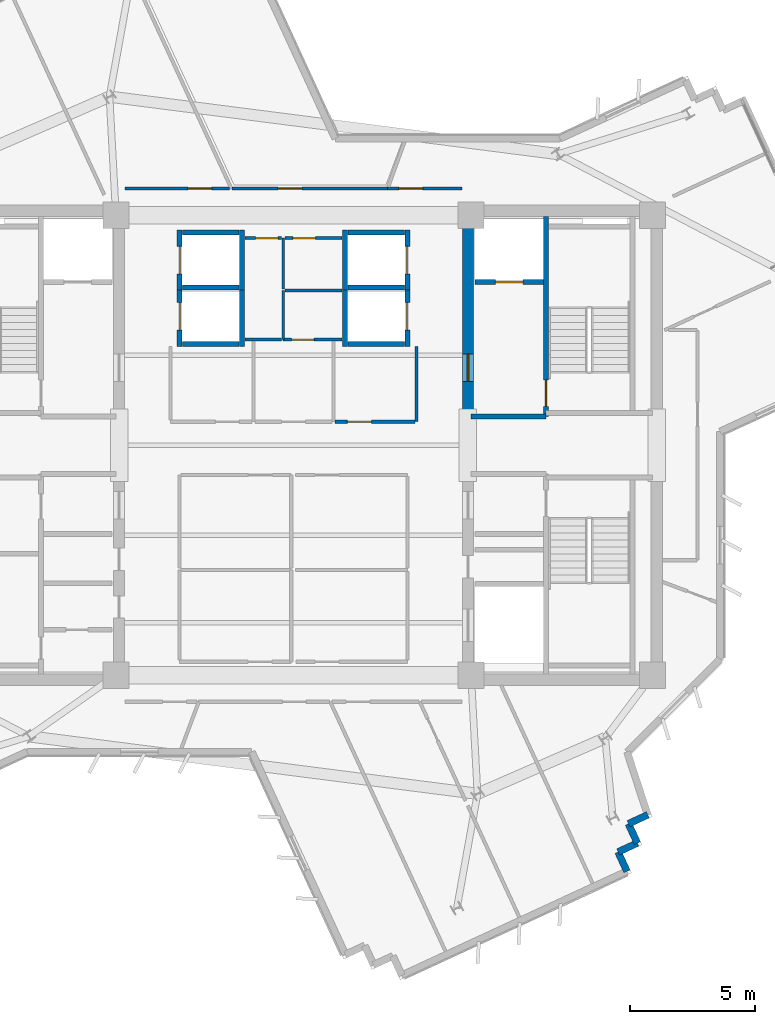
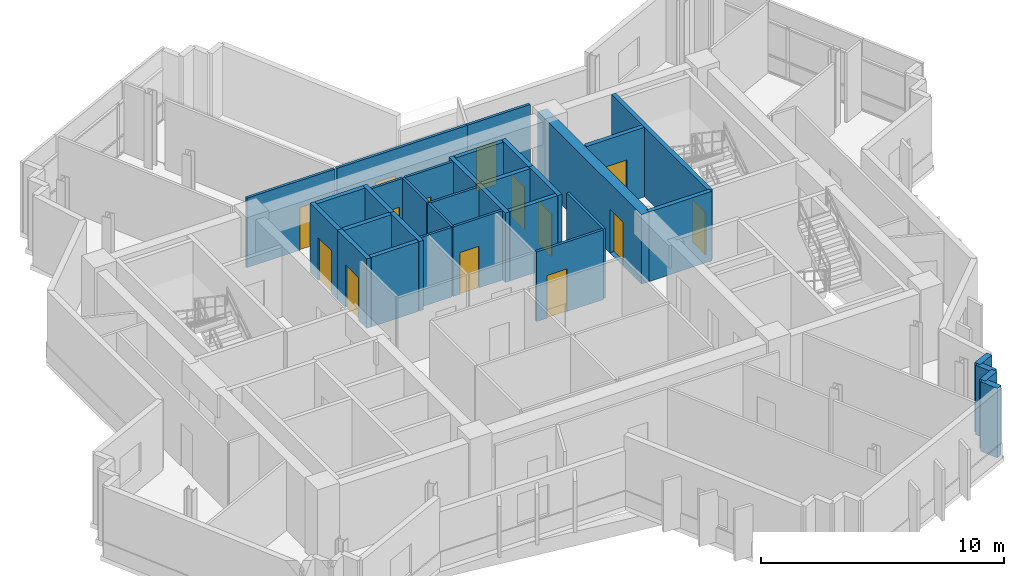
# One storey, part 7 of 12: 34 walls, 14 doors, 14 openings.
"""IFC4 building model written with IfcOpenShell, lengths in metres."""

from ifc_helpers import new_model, si_unit, direction, frame, frame_2d, origin, place, context, subcontext, project, spatial, rectangle, extrude, source, transform, mapped, material, layer, layer_set, type_object, element, fill, save


model = new_model("IFC4")

# Units and contexts
model_context = context("Model", 3, precision=1e-05, world=origin(), true_north=direction((0.0, 1.0)))
body_context = subcontext(model_context, "Body", "Model", "MODEL_VIEW")
ifc_project = project(units=[si_unit("LENGTHUNIT", "METRE"), si_unit("AREAUNIT", "SQUARE_METRE"), si_unit("VOLUMEUNIT", "CUBIC_METRE"), si_unit("PLANEANGLEUNIT", "RADIAN"), si_unit("MASSUNIT", "GRAM", prefix="KILO")], contexts=[model_context])

# Site, building, storey
site_placement = place(None, origin())
site = spatial("IfcSite", under=ifc_project, at=site_placement, CompositionType="ELEMENT")
building_placement = place(site_placement, origin())
building = spatial("IfcBuilding", under=site, at=building_placement, Name="Zahravan Cultural Tower", CompositionType="ELEMENT")
storey_placement = place(building_placement, frame((0.0, 0.0, 246.60009765625)))
storey = spatial("IfcBuildingStorey", under=building, at=storey_placement, Name="L58", CompositionType="ELEMENT", Elevation=246.60009765625)

# Wall, opening, door
ifc_material_1 = material(Name="Concrete C50/60", Category="concrete")
ifc_layer_1 = layer(ifc_material_1, 0.449951171875)
ifc_layer_set_1 = layer_set([ifc_layer_1], Name="Concrete C50/60")
wall_type_1 = type_object("IfcWallType", Name="CW-SHEAR-450-C50", PredefinedType="SHEAR", material=ifc_layer_set_1)
wall_1_placement = place(storey_placement, frame((42.97509765625, 28.050048828125, 0.0), z_axis=(0.0, 0.0, 1.0), x_axis=(0.0, 1.0, 0.0)))
wall_1 = element("IfcWall", 1, at=wall_1_placement, inside=storey, type_object=wall_type_1, Name="L58 Core Shear Wall CW-E-WN-L58", PredefinedType="SHEAR", context=body_context, shape_type="SweptSolid", body=[
    extrude(rectangle(XDim=8.550048828125, YDim=0.449951171875, at=frame_2d((4.27490234375, 0.0))), origin(), (0.0, 0.0, 1.0), 3.5),
])
opening_1_placement = place(wall_1_placement, frame((1.5, 0.0, 0.0)))
opening_1 = element("IfcOpeningElement", 2, at=opening_1_placement, cuts=wall_1, Name="Opening D-L58-07", PredefinedType="OPENING", context=body_context, shape_type="SweptSolid", body=[
    extrude(rectangle(XDim=1.10009765625, YDim=2.199951171875, at=frame_2d((0.550048828125, 1.10009765625))), frame((0.0, 0.23486328125, 0.0), z_axis=(0.0, -1.0, 0.0), x_axis=(1.0, 0.0, 0.0)), (0.0, 0.0, 1.0), 0.469970703125),
])
ifc_material_2 = material(Name="Steel ASTM A572 Grade 50", Category="steel")
door_type_1 = type_object("IfcDoorType", Name="DR-LOBBY-1100", OperationType="NOTDEFINED", PredefinedType="DOOR", material=ifc_material_2)
shared_shape_1 = source(origin(), body_context, "Body", "SweptSolid", [
    extrude(rectangle(XDim=1.10009765625, YDim=2.199951171875, at=frame_2d((0.550048828125, 1.10009765625))), frame((0.0, 0.02490234375, 0.0), z_axis=(0.0, -1.0, 0.0), x_axis=(1.0, 0.0, 0.0)), (0.0, 0.0, 1.0), 0.050048828125),
])
door_1_placement = place(opening_1_placement, origin())
door_1 = element("IfcDoor", 3, at=door_1_placement, inside=storey, type_object=door_type_1, Name="L58 Door D-L58-07", OperationType="SINGLE_SWING_RIGHT", OverallHeight=2.199951171875, OverallWidth=1.10009765625, PredefinedType="DOOR", context=body_context, shape_type="MappedRepresentation", body=[
    mapped(shared_shape_1, transform((0.0, 0.0, 0.0), x_axis=(1.0, 0.0, 0.0), y_axis=(0.0, 1.0, 0.0), z_axis=(0.0, 0.0, 1.0), scale=1.0)),
])
fill(opening_1, door_1)

ifc_material_3 = material(Name="Gypsum plasterboard partition")
ifc_layer_2 = layer(ifc_material_3, 0.125)
ifc_layer_set_2 = layer_set([ifc_layer_2], Name="Gypsum plasterboard partition")
wall_type_2 = type_object("IfcWallType", Name="W-PART-125", PredefinedType="PARTITIONING", material=ifc_layer_set_2)
wall_2_placement = place(storey_placement, frame((40.8525390625, 27.93994140625, 0.0), z_axis=(0.0, 0.0, 1.0), x_axis=(-1.0, 0.0, 0.0)))
wall_2 = element("IfcWall", 4, at=wall_2_placement, inside=storey, type_object=wall_type_2, Name="L58 Interior Wall 057", PredefinedType="PARTITIONING", context=body_context, shape_type="SweptSolid", body=[
    extrude(rectangle(XDim=3.18505859375, YDim=0.125, at=frame_2d((1.592529296875, 0.0))), origin(), (0.0, 0.0, 1.0), 3.5),
])
opening_2_placement = place(wall_2_placement, frame((1.743408203125, 0.0, 0.0)))
opening_2 = element("IfcOpeningElement", 5, at=opening_2_placement, cuts=wall_2, Name="Opening D-L58-22", PredefinedType="OPENING", context=body_context, shape_type="SweptSolid", body=[
    extrude(rectangle(XDim=0.949951171875, YDim=2.14990234375, at=frame_2d((0.47509765625, 1.074951171875))), frame((0.0, 0.072509765625, 0.0), z_axis=(0.0, -1.0, 0.0), x_axis=(1.0, 0.0, 0.0)), (0.0, 0.0, 1.0), 0.14501953125),
])
ifc_material_4 = material(Name="Anodised bronze-aluminium mullion", Category="aluminium")
door_type_2 = type_object("IfcDoorType", Name="DR-ROOM-950", OperationType="NOTDEFINED", PredefinedType="DOOR", material=ifc_material_4)
shared_shape_2 = source(origin(), body_context, "Body", "SweptSolid", [
    extrude(rectangle(XDim=0.949951171875, YDim=2.14990234375, at=frame_2d((0.47509765625, 1.074951171875))), frame((0.0, 0.02490234375, 0.0), z_axis=(0.0, -1.0, 0.0), x_axis=(1.0, 0.0, 0.0)), (0.0, 0.0, 1.0), 0.050048828125),
])
door_2_placement = place(opening_2_placement, origin())
door_2 = element("IfcDoor", 6, at=door_2_placement, inside=storey, type_object=door_type_2, Name="L58 Door D-L58-22", OperationType="SINGLE_SWING_LEFT", OverallHeight=2.14990234375, OverallWidth=0.949951171875, PredefinedType="DOOR", context=body_context, shape_type="MappedRepresentation", body=[
    mapped(shared_shape_2, transform((0.0, 0.0, 0.0), x_axis=(1.0, 0.0, 0.0), y_axis=(0.0, 1.0, 0.0), z_axis=(0.0, 0.0, 1.0), scale=1.0)),
])
fill(opening_2, door_2)

wall_3_placement = place(storey_placement, frame((42.74658203125, 37.2587890625, 0.0), z_axis=(0.0, 0.0, 1.0), x_axis=(-0.999999916415, 0.000408864141, 0.0)))
wall_3 = element("IfcWall", 7, at=wall_3_placement, inside=storey, type_object=wall_type_2, Name="L58 Interior Wall 085", PredefinedType="PARTITIONING", context=body_context, shape_type="SweptSolid", body=[
    extrude(rectangle(XDim=2.985595703125, YDim=0.125, at=frame_2d((1.49267578125, 0.0))), origin(), (0.0, 0.0, 1.0), 3.5),
])
opening_3_placement = place(wall_3_placement, frame((1.587890625, 0.0, 0.0)))
opening_3 = element("IfcOpeningElement", 8, at=opening_3_placement, cuts=wall_3, Name="Opening D-L58-24", PredefinedType="OPENING", context=body_context, shape_type="SweptSolid", body=[
    extrude(rectangle(XDim=0.949951171875, YDim=2.14990234375, at=frame_2d((0.47509765625, 1.074951171875))), frame((0.0, 0.072509765625, 0.0), z_axis=(0.0, -1.0, 0.0), x_axis=(1.0, 0.0, 0.0)), (0.0, 0.0, 1.0), 0.14501953125),
])
door_3_placement = place(opening_3_placement, origin())
door_3 = element("IfcDoor", 9, at=door_3_placement, inside=storey, type_object=door_type_2, Name="L58 Door D-L58-24", OperationType="SINGLE_SWING_LEFT", OverallHeight=2.14990234375, OverallWidth=0.949951171875, PredefinedType="DOOR", context=body_context, shape_type="MappedRepresentation", body=[
    mapped(shared_shape_2, transform((0.0, 0.0, 0.0), x_axis=(1.0, 0.0, 0.0), y_axis=(0.0, 1.0, 0.0), z_axis=(0.0, 0.0, 1.0), scale=1.0)),
])
fill(opening_3, door_3)

wall_4_placement = place(storey_placement, frame((33.443115234375, 37.260009765625, 0.0), z_axis=(0.0, 0.0, 1.0), x_axis=(-0.999999998299, -5.8329445e-05, 0.0)))
wall_4 = element("IfcWall", 10, at=wall_4_placement, inside=storey, type_object=wall_type_2, Name="L58 Interior Wall 089", PredefinedType="PARTITIONING", context=body_context, shape_type="SweptSolid", body=[
    extrude(rectangle(XDim=4.185546875, YDim=0.125, at=frame_2d((2.0927734375, 0.0))), origin(), (0.0, 0.0, 1.0), 3.5),
])
opening_4_placement = place(wall_4_placement, frame((0.7119140625, 0.0, 0.0)))
opening_4 = element("IfcOpeningElement", 11, at=opening_4_placement, cuts=wall_4, Name="Opening D-L58-26", PredefinedType="OPENING", context=body_context, shape_type="SweptSolid", body=[
    extrude(rectangle(XDim=0.949951171875, YDim=2.14990234375, at=frame_2d((0.47509765625, 1.074951171875))), frame((0.0, 0.072509765625, 0.0), z_axis=(0.0, -1.0, 0.0), x_axis=(1.0, 0.0, 0.0)), (0.0, 0.0, 1.0), 0.14501953125),
])
door_4_placement = place(opening_4_placement, origin())
door_4 = element("IfcDoor", 12, at=door_4_placement, inside=storey, type_object=door_type_2, Name="L58 Door D-L58-26", OperationType="SINGLE_SWING_LEFT", OverallHeight=2.14990234375, OverallWidth=0.949951171875, PredefinedType="DOOR", context=body_context, shape_type="MappedRepresentation", body=[
    mapped(shared_shape_2, transform((0.0, 0.0, 0.0), x_axis=(1.0, 0.0, 0.0), y_axis=(0.0, 1.0, 0.0), z_axis=(0.0, 0.0, 1.0), scale=1.0)),
])
fill(opening_4, door_4)

wall_5_placement = place(storey_placement, frame((39.760986328125, 37.260009765625, 0.0), z_axis=(0.0, 0.0, 1.0), x_axis=(-1.0, 0.0, 0.0)))
wall_5 = element("IfcWall", 13, at=wall_5_placement, inside=storey, type_object=wall_type_2, Name="L58 Interior Wall 103", PredefinedType="PARTITIONING", context=body_context, shape_type="SweptSolid", body=[
    extrude(rectangle(XDim=6.221435546875, YDim=0.125, at=frame_2d((3.11083984375, 0.0))), origin(), (0.0, 0.0, 1.0), 3.5),
])
opening_5_placement = place(wall_5_placement, frame((3.426513671875, 0.0, 0.0)))
opening_5 = element("IfcOpeningElement", 14, at=opening_5_placement, cuts=wall_5, Name="Opening D-L58-25", PredefinedType="OPENING", context=body_context, shape_type="SweptSolid", body=[
    extrude(rectangle(XDim=0.949951171875, YDim=2.14990234375, at=frame_2d((0.47509765625, 1.074951171875))), frame((0.0, 0.072509765625, 0.0), z_axis=(0.0, -1.0, 0.0), x_axis=(1.0, 0.0, 0.0)), (0.0, 0.0, 1.0), 0.14501953125),
])
door_5_placement = place(opening_5_placement, origin())
door_5 = element("IfcDoor", 15, at=door_5_placement, inside=storey, type_object=door_type_2, Name="L58 Door D-L58-25", OperationType="SINGLE_SWING_RIGHT", OverallHeight=2.14990234375, OverallWidth=0.949951171875, PredefinedType="DOOR", context=body_context, shape_type="MappedRepresentation", body=[
    mapped(shared_shape_2, transform((0.0, 0.0, 0.0), x_axis=(1.0, 0.0, 0.0), y_axis=(0.0, 1.0, 0.0), z_axis=(0.0, 0.0, 1.0), scale=1.0)),
])
fill(opening_5, door_5)

ifc_material_5 = material(Name="Concrete C45/55", Category="concrete")
ifc_layer_3 = layer(ifc_material_5, 0.199951171875)
ifc_layer_set_3 = layer_set([ifc_layer_3], Name="Concrete C45/55")
wall_type_3 = type_object("IfcWallType", Name="W-SHAFT-200", PredefinedType="SOLIDWALL", material=ifc_layer_set_3)
wall_6_placement = place(storey_placement, frame((46.10009765625, 28.14990234375, 0.0), z_axis=(0.0, 0.0, 1.0), x_axis=(0.0, 1.0, 0.0)))
wall_6 = element("IfcWall", 16, at=wall_6_placement, inside=storey, type_object=wall_type_3, Name="L58 Interior Wall 008", PredefinedType="SOLIDWALL", context=body_context, shape_type="SweptSolid", body=[
    extrude(rectangle(XDim=8.0, YDim=0.199951171875, at=frame_2d((4.0, 0.0))), origin(), (0.0, 0.0, 1.0), 3.5),
])
opening_6_placement = place(wall_6_placement, frame((0.39990234375, 0.0, 0.0)))
opening_6 = element("IfcOpeningElement", 17, at=opening_6_placement, cuts=wall_6, Name="Opening D-L58-02", PredefinedType="OPENING", context=body_context, shape_type="SweptSolid", body=[
    extrude(rectangle(XDim=1.050048828125, YDim=2.14990234375, at=frame_2d((0.52490234375, 1.074951171875))), frame((0.0, 0.10986328125, 0.0), z_axis=(0.0, -1.0, 0.0), x_axis=(1.0, 0.0, 0.0)), (0.0, 0.0, 1.0), 0.219970703125),
])
door_type_3 = type_object("IfcDoorType", Name="DR-STAIR-1050", OperationType="NOTDEFINED", PredefinedType="DOOR", material=ifc_material_2)
shared_shape_3 = source(origin(), body_context, "Body", "SweptSolid", [
    extrude(rectangle(XDim=1.050048828125, YDim=2.14990234375, at=frame_2d((0.52490234375, 1.074951171875))), frame((0.0, 0.02490234375, 0.0), z_axis=(0.0, -1.0, 0.0), x_axis=(1.0, 0.0, 0.0)), (0.0, 0.0, 1.0), 0.050048828125),
])
door_6_placement = place(opening_6_placement, origin())
door_6 = element("IfcDoor", 18, at=door_6_placement, inside=storey, type_object=door_type_3, Name="L58 Door D-L58-02", OperationType="SINGLE_SWING_LEFT", OverallHeight=2.14990234375, OverallWidth=1.050048828125, PredefinedType="DOOR", context=body_context, shape_type="MappedRepresentation", body=[
    mapped(shared_shape_3, transform((0.0, 0.0, 0.0), x_axis=(1.0, 0.0, 0.0), y_axis=(0.0, 1.0, 0.0), z_axis=(0.0, 0.0, 1.0), scale=1.0)),
])
fill(opening_6, door_6)

wall_7_placement = place(storey_placement, frame((43.25, 33.52001953125, 0.0), z_axis=(0.0, 0.0, 1.0), x_axis=(1.0, 0.0, 0.0)))
wall_7 = element("IfcWall", 19, at=wall_7_placement, inside=storey, type_object=wall_type_3, Name="L58 Interior Wall 023", PredefinedType="SOLIDWALL", context=body_context, shape_type="SweptSolid", body=[
    extrude(rectangle(XDim=2.75, YDim=0.199951171875, at=frame_2d((1.375, 0.0))), origin(), (0.0, 0.0, 1.0), 3.5),
])
opening_7_placement = place(wall_7_placement, frame((0.820068359375, 0.0, 0.0)))
opening_7 = element("IfcOpeningElement", 20, at=opening_7_placement, cuts=wall_7, Name="Opening LD-L58-02", PredefinedType="OPENING", context=body_context, shape_type="SweptSolid", body=[
    extrude(rectangle(XDim=1.10009765625, YDim=2.14990234375, at=frame_2d((0.550048828125, 1.074951171875))), frame((0.0, 0.10986328125, 0.0), z_axis=(0.0, -1.0, 0.0), x_axis=(1.0, 0.0, 0.0)), (0.0, 0.0, 1.0), 0.219970703125),
])
door_type_4 = type_object("IfcDoorType", Name="DR-LIFT-1100", OperationType="DOUBLE_DOOR_SLIDING", PredefinedType="DOOR", material=ifc_material_2)
shared_shape_4 = source(origin(), body_context, "Body", "SweptSolid", [
    extrude(rectangle(XDim=1.10009765625, YDim=2.14990234375, at=frame_2d((0.550048828125, 1.074951171875))), frame((0.0, 0.02490234375, 0.0), z_axis=(0.0, -1.0, 0.0), x_axis=(1.0, 0.0, 0.0)), (0.0, 0.0, 1.0), 0.050048828125),
])
door_7_placement = place(opening_7_placement, origin())
door_7 = element("IfcDoor", 21, at=door_7_placement, inside=storey, type_object=door_type_4, Name="L58 Door LD-L58-02", OperationType="DOUBLE_DOOR_SLIDING", OverallHeight=2.14990234375, OverallWidth=1.10009765625, PredefinedType="DOOR", context=body_context, shape_type="MappedRepresentation", body=[
    mapped(shared_shape_4, transform((0.0, 0.0, 0.0), x_axis=(1.0, 0.0, 0.0), y_axis=(0.0, 1.0, 0.0), z_axis=(0.0, 0.0, 1.0), scale=1.0)),
])
fill(opening_7, door_7)

wall_8_placement = place(storey_placement, frame((31.449951171875, 33.199951171875, 0.0), z_axis=(0.0, 0.0, 1.0), x_axis=(0.0, 1.0, 0.0)))
wall_8 = element("IfcWall", 22, at=wall_8_placement, inside=storey, type_object=wall_type_3, Name="L58 Interior Wall 030", PredefinedType="SOLIDWALL", context=body_context, shape_type="SweptSolid", body=[
    extrude(rectangle(XDim=2.400146484375, YDim=0.199951171875, at=frame_2d((1.2001953125, 0.0))), origin(), (0.0, 0.0, 1.0), 3.5),
])
opening_8_placement = place(wall_8_placement, frame((0.64990234375, 0.0, 0.0)))
opening_8 = element("IfcOpeningElement", 23, at=opening_8_placement, cuts=wall_8, Name="Opening LD-L58-04", PredefinedType="OPENING", context=body_context, shape_type="SweptSolid", body=[
    extrude(rectangle(XDim=1.10009765625, YDim=2.14990234375, at=frame_2d((0.550048828125, 1.074951171875))), frame((0.0, 0.10986328125, 0.0), z_axis=(0.0, -1.0, 0.0), x_axis=(1.0, 0.0, 0.0)), (0.0, 0.0, 1.0), 0.219970703125),
])
door_8_placement = place(opening_8_placement, origin())
door_8 = element("IfcDoor", 24, at=door_8_placement, inside=storey, type_object=door_type_4, Name="L58 Door LD-L58-04", OperationType="DOUBLE_DOOR_SLIDING", OverallHeight=2.14990234375, OverallWidth=1.10009765625, PredefinedType="DOOR", context=body_context, shape_type="MappedRepresentation", body=[
    mapped(shared_shape_4, transform((0.0, 0.0, 0.0), x_axis=(1.0, 0.0, 0.0), y_axis=(0.0, 1.0, 0.0), z_axis=(0.0, 0.0, 1.0), scale=1.0)),
])
fill(opening_8, door_8)

wall_9_placement = place(storey_placement, frame((31.449951171875, 30.949951171875, 0.0), z_axis=(0.0, 0.0, 1.0), x_axis=(0.0, 1.0, 0.0)))
wall_9 = element("IfcWall", 25, at=wall_9_placement, inside=storey, type_object=wall_type_3, Name="L58 Interior Wall 034", PredefinedType="SOLIDWALL", context=body_context, shape_type="SweptSolid", body=[
    extrude(rectangle(XDim=2.400146484375, YDim=0.199951171875, at=frame_2d((1.2001953125, 0.0))), origin(), (0.0, 0.0, 1.0), 3.5),
])
opening_9_placement = place(wall_9_placement, frame((0.64990234375, 0.0, 0.0)))
opening_9 = element("IfcOpeningElement", 26, at=opening_9_placement, cuts=wall_9, Name="Opening LD-L58-05", PredefinedType="OPENING", context=body_context, shape_type="SweptSolid", body=[
    extrude(rectangle(XDim=1.10009765625, YDim=2.14990234375, at=frame_2d((0.550048828125, 1.074951171875))), frame((0.0, 0.10986328125, 0.0), z_axis=(0.0, -1.0, 0.0), x_axis=(1.0, 0.0, 0.0)), (0.0, 0.0, 1.0), 0.219970703125),
])
door_9_placement = place(opening_9_placement, origin())
door_9 = element("IfcDoor", 27, at=door_9_placement, inside=storey, type_object=door_type_4, Name="L58 Door LD-L58-05", OperationType="DOUBLE_DOOR_SLIDING", OverallHeight=2.14990234375, OverallWidth=1.10009765625, PredefinedType="DOOR", context=body_context, shape_type="MappedRepresentation", body=[
    mapped(shared_shape_4, transform((0.0, 0.0, 0.0), x_axis=(1.0, 0.0, 0.0), y_axis=(0.0, 1.0, 0.0), z_axis=(0.0, 0.0, 1.0), scale=1.0)),
])
fill(opening_9, door_9)

wall_10_placement = place(storey_placement, frame((40.550048828125, 33.199951171875, 0.0), z_axis=(0.0, 0.0, 1.0), x_axis=(0.0, 1.0, 0.0)))
wall_10 = element("IfcWall", 28, at=wall_10_placement, inside=storey, type_object=wall_type_3, Name="L58 Interior Wall 038", PredefinedType="SOLIDWALL", context=body_context, shape_type="SweptSolid", body=[
    extrude(rectangle(XDim=2.400146484375, YDim=0.199951171875, at=frame_2d((1.2001953125, 0.0))), origin(), (0.0, 0.0, 1.0), 3.5),
])
opening_10_placement = place(wall_10_placement, frame((0.64990234375, 0.0, 0.0)))
opening_10 = element("IfcOpeningElement", 29, at=opening_10_placement, cuts=wall_10, Name="Opening LD-L58-06", PredefinedType="OPENING", context=body_context, shape_type="SweptSolid", body=[
    extrude(rectangle(XDim=1.10009765625, YDim=2.14990234375, at=frame_2d((0.550048828125, 1.074951171875))), frame((0.0, 0.10986328125, 0.0), z_axis=(0.0, -1.0, 0.0), x_axis=(1.0, 0.0, 0.0)), (0.0, 0.0, 1.0), 0.219970703125),
])
door_10_placement = place(opening_10_placement, origin())
door_10 = element("IfcDoor", 30, at=door_10_placement, inside=storey, type_object=door_type_4, Name="L58 Door LD-L58-06", OperationType="DOUBLE_DOOR_SLIDING", OverallHeight=2.14990234375, OverallWidth=1.10009765625, PredefinedType="DOOR", context=body_context, shape_type="MappedRepresentation", body=[
    mapped(shared_shape_4, transform((0.0, 0.0, 0.0), x_axis=(1.0, 0.0, 0.0), y_axis=(0.0, 1.0, 0.0), z_axis=(0.0, 0.0, 1.0), scale=1.0)),
])
fill(opening_10, door_10)

wall_11_placement = place(storey_placement, frame((40.550048828125, 30.949951171875, 0.0), z_axis=(0.0, 0.0, 1.0), x_axis=(0.0, 1.0, 0.0)))
wall_11 = element("IfcWall", 31, at=wall_11_placement, inside=storey, type_object=wall_type_3, Name="L58 Interior Wall 042", PredefinedType="SOLIDWALL", context=body_context, shape_type="SweptSolid", body=[
    extrude(rectangle(XDim=2.400146484375, YDim=0.199951171875, at=frame_2d((1.2001953125, 0.0))), origin(), (0.0, 0.0, 1.0), 3.5),
])
opening_11_placement = place(wall_11_placement, frame((0.64990234375, 0.0, 0.0)))
opening_11 = element("IfcOpeningElement", 32, at=opening_11_placement, cuts=wall_11, Name="Opening LD-L58-07", PredefinedType="OPENING", context=body_context, shape_type="SweptSolid", body=[
    extrude(rectangle(XDim=1.10009765625, YDim=2.14990234375, at=frame_2d((0.550048828125, 1.074951171875))), frame((0.0, 0.10986328125, 0.0), z_axis=(0.0, -1.0, 0.0), x_axis=(1.0, 0.0, 0.0)), (0.0, 0.0, 1.0), 0.219970703125),
])
door_11_placement = place(opening_11_placement, origin())
door_11 = element("IfcDoor", 33, at=door_11_placement, inside=storey, type_object=door_type_4, Name="L58 Door LD-L58-07", OperationType="DOUBLE_DOOR_SLIDING", OverallHeight=2.14990234375, OverallWidth=1.10009765625, PredefinedType="DOOR", context=body_context, shape_type="MappedRepresentation", body=[
    mapped(shared_shape_4, transform((0.0, 0.0, 0.0), x_axis=(1.0, 0.0, 0.0), y_axis=(0.0, 1.0, 0.0), z_axis=(0.0, 0.0, 1.0), scale=1.0)),
])
fill(opening_11, door_11)

ifc_layer_4 = layer(ifc_material_3, 0.114990234375)
ifc_layer_set_4 = layer_set([ifc_layer_4], Name="Gypsum plasterboard partition")
wall_type_4 = type_object("IfcWallType", Name="W-WC-115", PredefinedType="PARTITIONING", material=ifc_layer_set_4)
wall_12_placement = place(storey_placement, frame((37.945068359375, 31.219970703125, 0.0), z_axis=(0.0, 0.0, 1.0), x_axis=(-1.0, 0.0, 0.0)))
wall_12 = element("IfcWall", 34, at=wall_12_placement, inside=storey, type_object=wall_type_4, Name="L58 Interior Wall 044", PredefinedType="PARTITIONING", context=body_context, shape_type="SweptSolid", body=[
    extrude(rectangle(XDim=2.35498046875, YDim=0.114990234375, at=frame_2d((1.177490234375, 0.0))), origin(), (0.0, 0.0, 1.0), 3.5),
])
opening_12_placement = place(wall_12_placement, frame((1.120849609375, 0.0, 0.0)))
opening_12 = element("IfcOpeningElement", 35, at=opening_12_placement, cuts=wall_12, Name="Opening D-L58-31", PredefinedType="OPENING", context=body_context, shape_type="SweptSolid", body=[
    extrude(rectangle(XDim=0.89990234375, YDim=2.10009765625, at=frame_2d((0.449951171875, 1.050048828125))), frame((0.0, 0.0673828125, 0.0), z_axis=(0.0, -1.0, 0.0), x_axis=(1.0, 0.0, 0.0)), (0.0, 0.0, 1.0), 0.135009765625),
])
door_type_5 = type_object("IfcDoorType", Name="DR-WC-900", OperationType="NOTDEFINED", PredefinedType="DOOR", material=ifc_material_4)
shared_shape_5 = source(origin(), body_context, "Body", "SweptSolid", [
    extrude(rectangle(XDim=0.89990234375, YDim=2.10009765625, at=frame_2d((0.449951171875, 1.050048828125))), frame((0.0, 0.02490234375, 0.0), z_axis=(0.0, -1.0, 0.0), x_axis=(1.0, 0.0, 0.0)), (0.0, 0.0, 1.0), 0.050048828125),
])
door_12_placement = place(opening_12_placement, origin())
door_12 = element("IfcDoor", 36, at=door_12_placement, inside=storey, type_object=door_type_5, Name="L58 Door D-L58-31", OperationType="SINGLE_SWING_RIGHT", OverallHeight=2.10009765625, OverallWidth=0.89990234375, PredefinedType="DOOR", context=body_context, shape_type="MappedRepresentation", body=[
    mapped(shared_shape_5, transform((0.0, 0.0, 0.0), x_axis=(1.0, 0.0, 0.0), y_axis=(0.0, 1.0, 0.0), z_axis=(0.0, 0.0, 1.0), scale=1.0)),
])
fill(opening_12, door_12)

wall_13_placement = place(storey_placement, frame((35.652587890625, 35.280029296875, 0.0), z_axis=(0.0, 0.0, 1.0), x_axis=(1.0, 0.0, 0.0)))
wall_13 = element("IfcWall", 37, at=wall_13_placement, inside=storey, type_object=wall_type_4, Name="L58 Interior Wall 048", PredefinedType="PARTITIONING", context=body_context, shape_type="SweptSolid", body=[
    extrude(rectangle(XDim=2.29248046875, YDim=0.114990234375, at=frame_2d((1.146240234375, 0.0))), origin(), (0.0, 0.0, 1.0), 3.5),
])
opening_13_placement = place(wall_13_placement, frame((0.3203125, 0.0, 0.0)))
opening_13 = element("IfcOpeningElement", 38, at=opening_13_placement, cuts=wall_13, Name="Opening D-L58-19", PredefinedType="OPENING", context=body_context, shape_type="SweptSolid", body=[
    extrude(rectangle(XDim=0.89990234375, YDim=2.10009765625, at=frame_2d((0.449951171875, 1.050048828125))), frame((0.0, 0.0673828125, 0.0), z_axis=(0.0, -1.0, 0.0), x_axis=(1.0, 0.0, 0.0)), (0.0, 0.0, 1.0), 0.135009765625),
])
door_13_placement = place(opening_13_placement, origin())
door_13 = element("IfcDoor", 39, at=door_13_placement, inside=storey, type_object=door_type_5, Name="L58 Door D-L58-19", OperationType="SINGLE_SWING_RIGHT", OverallHeight=2.10009765625, OverallWidth=0.89990234375, PredefinedType="DOOR", context=body_context, shape_type="MappedRepresentation", body=[
    mapped(shared_shape_5, transform((0.0, 0.0, 0.0), x_axis=(1.0, 0.0, 0.0), y_axis=(0.0, 1.0, 0.0), z_axis=(0.0, 0.0, 1.0), scale=1.0)),
])
fill(opening_13, door_13)

wall_14_placement = place(storey_placement, frame((34.054931640625, 35.280029296875, 0.0), z_axis=(0.0, 0.0, 1.0), x_axis=(1.0, 0.0, 0.0)))
wall_14 = element("IfcWall", 40, at=wall_14_placement, inside=storey, type_object=wall_type_4, Name="L58 Interior Wall 050", PredefinedType="PARTITIONING", context=body_context, shape_type="SweptSolid", body=[
    extrude(rectangle(XDim=1.47265625, YDim=0.114990234375, at=frame_2d((0.736328125, 0.0))), origin(), (0.0, 0.0, 1.0), 3.5),
])
opening_14_placement = place(wall_14_placement, frame((0.4326171875, 0.0, 0.0)))
opening_14 = element("IfcOpeningElement", 41, at=opening_14_placement, cuts=wall_14, Name="Opening D-L58-18", PredefinedType="OPENING", context=body_context, shape_type="SweptSolid", body=[
    extrude(rectangle(XDim=0.89990234375, YDim=2.10009765625, at=frame_2d((0.449951171875, 1.050048828125))), frame((0.0, 0.0673828125, 0.0), z_axis=(0.0, -1.0, 0.0), x_axis=(1.0, 0.0, 0.0)), (0.0, 0.0, 1.0), 0.135009765625),
])
door_14_placement = place(opening_14_placement, origin())
door_14 = element("IfcDoor", 42, at=door_14_placement, inside=storey, type_object=door_type_5, Name="L58 Door D-L58-18", OperationType="SINGLE_SWING_LEFT", OverallHeight=2.10009765625, OverallWidth=0.89990234375, PredefinedType="DOOR", context=body_context, shape_type="MappedRepresentation", body=[
    mapped(shared_shape_5, transform((0.0, 0.0, 0.0), x_axis=(1.0, 0.0, 0.0), y_axis=(0.0, 1.0, 0.0), z_axis=(0.0, 0.0, 1.0), scale=1.0)),
])
fill(opening_14, door_14)

# Walls
ifc_material_6 = material(Name="Precast concrete C40/50", Category="concrete")
ifc_layer_5 = layer(ifc_material_6, 0.280029296875)
ifc_layer_set_5 = layer_set([ifc_layer_5], Name="Precast concrete C40/50")
wall_type_5 = type_object("IfcWallType", Name="EW-TC-280", PredefinedType="SOLIDWALL", material=ifc_layer_set_5)
shared_shape_6 = source(origin(), body_context, "Body", "SweptSolid", [
    extrude(rectangle(XDim=0.85009765625, YDim=0.280029296875, at=frame_2d((0.425048828125, 0.0))), origin(), (0.0, 0.0, 1.0), 3.5),
])
for number, where, z_axis, x_axis, name in (
    (43, (50.16650390625, 12.218994140625, 0.0), (0.0, 0.0, 1.0), (-0.907841666427, -0.419313139191, 0.0), "L58 Exterior Masonry Frame Wall 14"),
    (44, (49.394775390625, 11.862548828125, 0.0), (0.0, 0.0, 1.0), (0.419313139191, -0.907841666427, 0.0), "L58 Exterior Masonry Frame Wall 15"),
    (45, (48.979736328125, 10.734375, 0.0), (0.0, 0.0, 1.0), (0.419313139191, -0.907841666427, 0.0), "L58 Exterior Masonry Frame Wall 17"),
):
    element("IfcWall", number, at=place(storey_placement, frame(where, z_axis=z_axis, x_axis=x_axis)), inside=storey, type_object=wall_type_5, Name=name, PredefinedType="SOLIDWALL", context=body_context, shape_type="MappedRepresentation", body=[
        mapped(shared_shape_6, transform((0.0, 0.0, 0.0), x_axis=(1.0, 0.0, 0.0), y_axis=(0.0, 1.0, 0.0), z_axis=(0.0, 0.0, 1.0), scale=1.0)),
    ])
shared_shape_7 = source(origin(), body_context, "Body", "SweptSolid", [
    extrude(rectangle(XDim=0.849853515625, YDim=0.280029296875, at=frame_2d((0.4248046875, 0.0))), origin(), (0.0, 0.0, 1.0), 3.5),
])
wall_15_placement = place(storey_placement, frame((49.751220703125, 11.0908203125, 0.0), z_axis=(0.0, 0.0, 1.0), x_axis=(-0.907791150023, -0.419422493365, 0.0)))
element("IfcWall", 46, at=wall_15_placement, inside=storey, type_object=wall_type_5, Name="L58 Exterior Masonry Frame Wall 16", PredefinedType="SOLIDWALL", context=body_context, shape_type="MappedRepresentation", body=[
    mapped(shared_shape_7, transform((0.0, 0.0, 0.0), x_axis=(1.0, 0.0, 0.0), y_axis=(0.0, 1.0, 0.0), z_axis=(0.0, 0.0, 1.0), scale=1.0)),
])
shared_shape_8 = source(origin(), body_context, "Body", "SweptSolid", [
    extrude(rectangle(XDim=3.0, YDim=0.199951171875, at=frame_2d((1.5, 0.0))), origin(), (0.0, 0.0, 1.0), 3.5),
])
wall_16_placement = place(storey_placement, frame((43.10009765625, 28.14990234375, 0.0), z_axis=(0.0, 0.0, 1.0), x_axis=(1.0, 0.0, 0.0)))
element("IfcWall", 47, at=wall_16_placement, inside=storey, type_object=wall_type_3, Name="L58 Interior Wall 015", PredefinedType="SOLIDWALL", context=body_context, shape_type="MappedRepresentation", body=[
    mapped(shared_shape_8, transform((0.0, 0.0, 0.0), x_axis=(1.0, 0.0, 0.0), y_axis=(0.0, 1.0, 0.0), z_axis=(0.0, 0.0, 1.0), scale=1.0)),
])
shared_shape_9 = source(origin(), body_context, "Body", "SweptSolid", [
    extrude(rectangle(XDim=2.400146484375, YDim=0.199951171875, at=frame_2d((1.2001953125, 0.0))), origin(), (0.0, 0.0, 1.0), 3.5),
])
for number, where, z_axis, x_axis, name in (
    (48, (33.949951171875, 33.199951171875, 0.0), (0.0, 0.0, 1.0), (0.0, 1.0, 0.0), "L58 Interior Wall 031"),
    (49, (33.949951171875, 30.949951171875, 0.0), (0.0, 0.0, 1.0), (0.0, 1.0, 0.0), "L58 Interior Wall 035"),
    (50, (38.050048828125, 33.199951171875, 0.0), (0.0, 0.0, 1.0), (0.0, 1.0, 0.0), "L58 Interior Wall 037"),
    (51, (38.050048828125, 30.949951171875, 0.0), (0.0, 0.0, 1.0), (0.0, 1.0, 0.0), "L58 Interior Wall 041"),
):
    element("IfcWall", number, at=place(storey_placement, frame(where, z_axis=z_axis, x_axis=x_axis)), inside=storey, type_object=wall_type_3, Name=name, PredefinedType="SOLIDWALL", context=body_context, shape_type="MappedRepresentation", body=[
        mapped(shared_shape_9, transform((0.0, 0.0, 0.0), x_axis=(1.0, 0.0, 0.0), y_axis=(0.0, 1.0, 0.0), z_axis=(0.0, 0.0, 1.0), scale=1.0)),
    ])
shared_shape_10 = source(origin(), body_context, "Body", "SweptSolid", [
    extrude(rectangle(XDim=2.260009765625, YDim=0.199951171875, at=frame_2d((1.1298828125, 0.0))), origin(), (0.0, 0.0, 1.0), 3.5),
])
for number, where, z_axis, x_axis, name in (
    (52, (31.570068359375, 33.300048828125, 0.0), (0.0, 0.0, 1.0), (1.0, 0.0, 0.0), "L58 Interior Wall 032"),
    (53, (31.570068359375, 35.5, 0.0), (0.0, 0.0, 1.0), (1.0, 0.0, 0.0), "L58 Interior Wall 033"),
    (54, (31.570068359375, 31.050048828125, 0.0), (0.0, 0.0, 1.0), (1.0, 0.0, 0.0), "L58 Interior Wall 036"),
    (55, (38.169921875, 33.300048828125, 0.0), (0.0, 0.0, 1.0), (1.0, 0.0, 0.0), "L58 Interior Wall 039"),
    (56, (38.169921875, 35.5, 0.0), (0.0, 0.0, 1.0), (1.0, 0.0, 0.0), "L58 Interior Wall 040"),
    (57, (38.169921875, 31.050048828125, 0.0), (0.0, 0.0, 1.0), (1.0, 0.0, 0.0), "L58 Interior Wall 043"),
):
    element("IfcWall", number, at=place(storey_placement, frame(where, z_axis=z_axis, x_axis=x_axis)), inside=storey, type_object=wall_type_3, Name=name, PredefinedType="SOLIDWALL", context=body_context, shape_type="MappedRepresentation", body=[
        mapped(shared_shape_10, transform((0.0, 0.0, 0.0), x_axis=(1.0, 0.0, 0.0), y_axis=(0.0, 1.0, 0.0), z_axis=(0.0, 0.0, 1.0), scale=1.0)),
    ])
shared_shape_11 = source(origin(), body_context, "Body", "SweptSolid", [
    extrude(rectangle(XDim=1.9599609375, YDim=0.114990234375, at=frame_2d((0.97998046875, 0.0))), origin(), (0.0, 0.0, 1.0), 3.5),
])
wall_17_placement = place(storey_placement, frame((35.590087890625, 31.219970703125, 0.0), z_axis=(0.0, 0.0, 1.0), x_axis=(0.0, 1.0, 0.0)))
element("IfcWall", 58, at=wall_17_placement, inside=storey, type_object=wall_type_4, Name="L58 Interior Wall 045", PredefinedType="PARTITIONING", context=body_context, shape_type="MappedRepresentation", body=[
    mapped(shared_shape_11, transform((0.0, 0.0, 0.0), x_axis=(1.0, 0.0, 0.0), y_axis=(0.0, 1.0, 0.0), z_axis=(0.0, 0.0, 1.0), scale=1.0)),
])
shared_shape_12 = source(origin(), body_context, "Body", "SweptSolid", [
    extrude(rectangle(XDim=2.29248046875, YDim=0.114990234375, at=frame_2d((1.146240234375, 0.0))), origin(), (0.0, 0.0, 1.0), 3.5),
])
wall_18_placement = place(storey_placement, frame((35.652587890625, 33.179931640625, 0.0), z_axis=(0.0, 0.0, 1.0), x_axis=(1.0, 0.0, 0.0)))
element("IfcWall", 59, at=wall_18_placement, inside=storey, type_object=wall_type_4, Name="L58 Interior Wall 046", PredefinedType="PARTITIONING", context=body_context, shape_type="MappedRepresentation", body=[
    mapped(shared_shape_12, transform((0.0, 0.0, 0.0), x_axis=(1.0, 0.0, 0.0), y_axis=(0.0, 1.0, 0.0), z_axis=(0.0, 0.0, 1.0), scale=1.0)),
])
shared_shape_13 = source(origin(), body_context, "Body", "SweptSolid", [
    extrude(rectangle(XDim=2.0400390625, YDim=0.114990234375, at=frame_2d((1.02001953125, 0.0))), origin(), (0.0, 0.0, 1.0), 3.5),
])
wall_19_placement = place(storey_placement, frame((35.590087890625, 33.239990234375, 0.0), z_axis=(0.0, 0.0, 1.0), x_axis=(0.0, 1.0, 0.0)))
element("IfcWall", 60, at=wall_19_placement, inside=storey, type_object=wall_type_4, Name="L58 Interior Wall 047", PredefinedType="PARTITIONING", context=body_context, shape_type="MappedRepresentation", body=[
    mapped(shared_shape_13, transform((0.0, 0.0, 0.0), x_axis=(1.0, 0.0, 0.0), y_axis=(0.0, 1.0, 0.0), z_axis=(0.0, 0.0, 1.0), scale=1.0)),
])
shared_shape_14 = source(origin(), body_context, "Body", "SweptSolid", [
    extrude(rectangle(XDim=1.47265625, YDim=0.114990234375, at=frame_2d((0.736328125, 0.0))), origin(), (0.0, 0.0, 1.0), 3.5),
])
wall_20_placement = place(storey_placement, frame((35.527587890625, 31.219970703125, 0.0), z_axis=(0.0, 0.0, 1.0), x_axis=(-1.0, 0.0, 0.0)))
element("IfcWall", 61, at=wall_20_placement, inside=storey, type_object=wall_type_4, Name="L58 Interior Wall 049", PredefinedType="PARTITIONING", context=body_context, shape_type="MappedRepresentation", body=[
    mapped(shared_shape_14, transform((0.0, 0.0, 0.0), x_axis=(1.0, 0.0, 0.0), y_axis=(0.0, 1.0, 0.0), z_axis=(0.0, 0.0, 1.0), scale=1.0)),
])
shared_shape_15 = source(origin(), body_context, "Body", "SweptSolid", [
    extrude(rectangle(XDim=3.010009765625, YDim=0.125, at=frame_2d((1.5048828125, 0.0))), origin(), (0.0, 0.0, 1.0), 3.5),
])
wall_21_placement = place(storey_placement, frame((40.919921875, 30.949951171875, 0.0), z_axis=(0.0, 0.0, 1.0), x_axis=(0.0, -1.0, 0.0)))
element("IfcWall", 62, at=wall_21_placement, inside=storey, type_object=wall_type_2, Name="L58 Interior Wall 056", PredefinedType="PARTITIONING", context=body_context, shape_type="MappedRepresentation", body=[
    mapped(shared_shape_15, transform((0.0, 0.0, 0.0), x_axis=(1.0, 0.0, 0.0), y_axis=(0.0, 1.0, 0.0), z_axis=(0.0, 0.0, 1.0), scale=1.0)),
])

save(model, "model.ifc")
